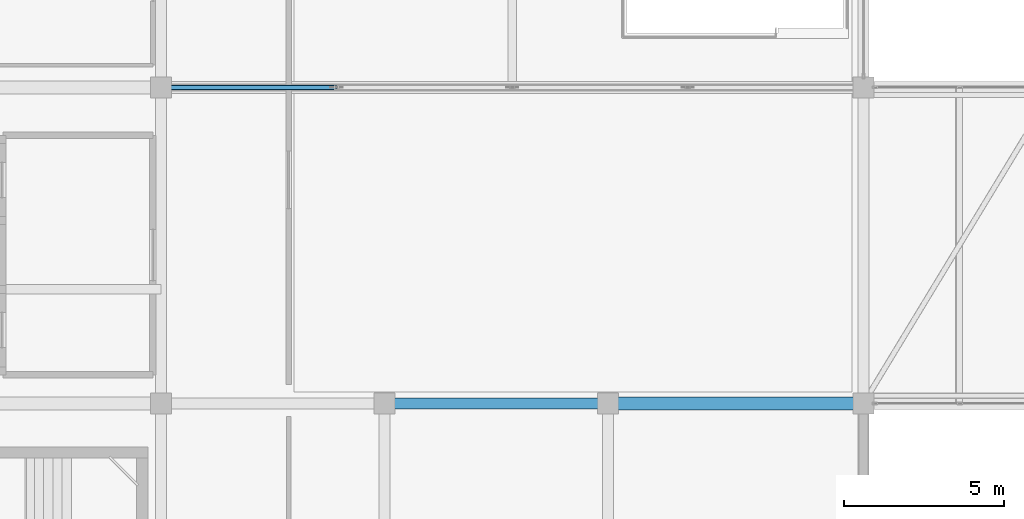
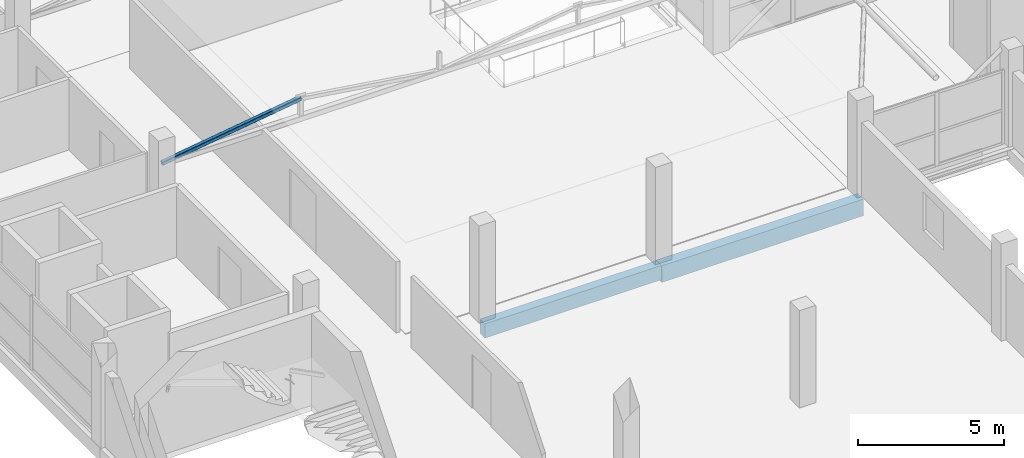
# One storey, part 8 of 66: 2 beams, 1 member.
"""IFC4 building model written with IfcOpenShell, lengths in metres."""

import ifcopenshell
import ifcopenshell.guid

model = None  # the IFC model being written
_history = None  # IfcOwnerHistory: only IFC2X3 demands one
_inside = {}  # id of a spatial element -> (the spatial element, [elements in it])
_under = {}  # id of a project, library or spatial element -> (it, [spatial elements below it])
_declared = {}  # id of a project -> (the project, [libraries it declares])
_typed = {}  # id of a type object -> (the type object, [elements of that type])
_made_of = {}  # id of a material, layer set ... -> (it, [elements and type objects made of it])


def new_model(schema):
    """Start an empty IFC model of exactly this schema.

    Asked for "IFC4X3", IfcOpenShell would pick the latest addendum, in which some entities
    have other attributes; the version numbers below select the first issue.
    IFC2X3 requires an IfcOwnerHistory on every rooted entity: one is made here for all.
    """
    global model, _history
    if schema == "IFC4X3":
        model = ifcopenshell.file(schema_version=(4, 3, 0, 0))
    else:
        model = ifcopenshell.file(schema=schema)
    _inside.clear()
    _under.clear()
    _declared.clear()
    _typed.clear()
    _made_of.clear()
    _history = None
    if model.schema == "IFC2X3":
        org = make("IfcOrganization", Name="unknown")
        user = make(
            "IfcPersonAndOrganization",
            ThePerson=make("IfcPerson", FamilyName="unknown"),
            TheOrganization=org,
        )
        app = make(
            "IfcApplication",
            ApplicationDeveloper=org,
            Version="unknown",
            ApplicationFullName="unknown",
            ApplicationIdentifier="unknown",
        )
        _history = make(
            "IfcOwnerHistory",
            OwningUser=user,
            OwningApplication=app,
            ChangeAction="ADDED",
            CreationDate=0,
        )
    return model


def make(cls, **values):
    """One entity of the class cls with the attributes given. An attribute that is None is left unset."""
    return model.create_entity(
        cls, **{name: value for name, value in values.items() if value is not None}
    )


def rooted(cls, **values):
    """An entity with a GlobalId (a new one), such as an element, a storey or a relation."""
    return make(cls, GlobalId=ifcopenshell.guid.new(), OwnerHistory=_history, **values)


def si_unit(unit_type, name, prefix=None):
    """IfcSIUnit, for example si_unit("LENGTHUNIT", "METRE", prefix="MILLI")."""
    return make("IfcSIUnit", UnitType=unit_type, Prefix=prefix, Name=name)


def assignment(units):
    """IfcUnitAssignment: the units of a project."""
    return None if units is None else make("IfcUnitAssignment", Units=units)


def point(xyz):
    """IfcCartesianPoint."""
    return None if xyz is None else make("IfcCartesianPoint", Coordinates=xyz)


def direction(xyz):
    """IfcDirection."""
    return None if xyz is None else make("IfcDirection", DirectionRatios=xyz)


def frame(location, z_axis=None, x_axis=None):
    """IfcAxis2Placement3D, a coordinate frame: its origin and axes. An axis left out is left unset."""
    return make(
        "IfcAxis2Placement3D",
        Location=point(location),
        Axis=direction(z_axis),
        RefDirection=direction(x_axis),
    )


def frame_2d(location, x_axis=None):
    """IfcAxis2Placement2D, a coordinate frame in the plane: its origin and x axis."""
    return make(
        "IfcAxis2Placement2D", Location=point(location), RefDirection=direction(x_axis)
    )


def origin():
    """The frame at (0, 0, 0) with its axes left unset."""
    return frame((0.0, 0.0, 0.0))


def origin_2d():
    """The frame at (0, 0) in the plane with its x axis left unset."""
    return frame_2d((0.0, 0.0))


def place(relative_to, where):
    """IfcLocalPlacement: puts the frame where relative to a parent placement (None: the world)."""
    return make(
        "IfcLocalPlacement", PlacementRelTo=relative_to, RelativePlacement=where
    )


def context(
    kind, dimensions, precision=None, world=None, true_north=None, identifier=None
):
    """IfcGeometricRepresentationContext, for example the 3D "Model" context."""
    return make(
        "IfcGeometricRepresentationContext",
        ContextIdentifier=identifier,
        ContextType=kind,
        CoordinateSpaceDimension=dimensions,
        Precision=precision,
        WorldCoordinateSystem=world,
        TrueNorth=true_north,
    )


def subcontext(parent, identifier, kind, view, scale=None):
    """IfcGeometricRepresentationSubContext, for example "Body" below "Model"."""
    return make(
        "IfcGeometricRepresentationSubContext",
        ContextIdentifier=identifier,
        ContextType=kind,
        ParentContext=parent,
        TargetScale=scale,
        TargetView=view,
    )


def project(units=None, contexts=None):
    """IfcProject with its units and contexts."""
    return rooted(
        "IfcProject",
        Name="project",
        RepresentationContexts=contexts,
        UnitsInContext=assignment(units),
    )


def spatial(cls, under=None, at=None, **own):
    """A site, building, storey or space (cls), placed at a placement, below another one or the project."""
    s = rooted(cls, ObjectPlacement=at, **own)
    if under is not None:
        _under.setdefault(under.id(), (under, []))[1].append(s)
    return s


def profile(cls, at=None, kind="AREA", **sizes):
    """A parametric profile (cls). Its sizes go by their IFC names, for example OverallWidth=200.0."""
    return make(cls, ProfileType=kind, Position=at, **sizes)


def rectangle(**sizes):
    """IfcRectangleProfileDef."""
    return profile("IfcRectangleProfileDef", **sizes)


def hollow_rectangle(**sizes):
    """IfcRectangleHollowProfileDef."""
    return profile("IfcRectangleHollowProfileDef", **sizes)


def extrude(swept, where, along, depth):
    """IfcExtrudedAreaSolid: the profile swept, set in the frame where, extruded along a direction by depth."""
    return make(
        "IfcExtrudedAreaSolid",
        SweptArea=swept,
        Position=where,
        ExtrudedDirection=direction(along),
        Depth=depth,
    )


def shape(context_of_items, identifier, shape_type, items):
    """IfcShapeRepresentation: the items that make up one representation, for example the "Body"."""
    return make(
        "IfcShapeRepresentation",
        ContextOfItems=context_of_items,
        RepresentationIdentifier=identifier,
        RepresentationType=shape_type,
        Items=items,
    )


def material(Name=None, Category=None):
    """IfcMaterial."""
    return make("IfcMaterial", Name=Name, Category=Category)


def material_profile(
    of_material, cross_section, Name=None, Category=None, Priority=None
):
    """IfcMaterialProfile: a cross section and its material."""
    return make(
        "IfcMaterialProfile",
        Name=Name,
        Material=of_material,
        Profile=cross_section,
        Priority=Priority,
        Category=Category,
    )


def profile_set(profiles, Name=None, composite=None):
    """IfcMaterialProfileSet."""
    return make(
        "IfcMaterialProfileSet",
        Name=Name,
        MaterialProfiles=profiles,
        CompositeProfile=composite,
    )


def made_of(thing, what):
    """Note that an element or type object is made of a material, layer set ...; save() writes the relation."""
    if what is not None:
        _made_of.setdefault(what.id(), (what, []))[1].append(thing)
    return thing


def type_object(cls, material=None, **own):
    """A type object (cls), such as IfcWallType, which elements share."""
    return made_of(rooted(cls, **own), material)


def element(
    cls,
    number,
    at=None,
    inside=None,
    cuts=None,
    type_object=None,
    material=None,
    context=None,
    identifier="Body",
    shape_type=None,
    held_by="IfcProductDefinitionShape",
    body=None,
    shapes=None,
    **own,
):
    """One element of the class cls, such as IfcWall. Its Tag is "e" and its number.

    at: its placement. inside: the storey or other place that contains it. cuts: it is an
    opening in that element (IfcRelVoidsElement). A single representation is given by context,
    identifier, shape_type and body (its items); several are given by shapes. held_by: the class
    of the entity that holds the representations. save() writes the other relations.
    """
    e = rooted(cls, Tag="e%d" % number, ObjectPlacement=at, **own)
    if body is not None:
        shapes = [shape(context, identifier, shape_type, body)]
    if shapes is not None:
        e.Representation = make(held_by, Representations=shapes)
    if inside is not None:
        _inside.setdefault(inside.id(), (inside, []))[1].append(e)
    if cuts is not None:
        rooted(
            "IfcRelVoidsElement", RelatingBuildingElement=cuts, RelatedOpeningElement=e
        )
    if type_object is not None:
        _typed.setdefault(type_object.id(), (type_object, []))[1].append(e)
    return made_of(e, material)


def aggregate(whole, parts):
    """IfcRelAggregates: a whole, such as a stair, and the parts it consists of."""
    return rooted("IfcRelAggregates", RelatingObject=whole, RelatedObjects=parts)


def save(model, path):
    """Write the relations noted so far, then the file.

    IfcRelAggregates (storeys below a building ...), IfcRelContainedInSpatialStructure (elements
    in a storey), IfcRelDefinesByType, IfcRelAssociatesMaterial and IfcRelDeclares: one each for
    every whole, place, type object, material and project.
    """
    for whole, parts in _under.values():
        aggregate(whole, parts)
    for where, things in _inside.values():
        rooted(
            "IfcRelContainedInSpatialStructure",
            RelatedElements=things,
            RelatingStructure=where,
        )
    for kind, things in _typed.values():
        rooted("IfcRelDefinesByType", RelatedObjects=things, RelatingType=kind)
    for what, things in _made_of.values():
        rooted("IfcRelAssociatesMaterial", RelatedObjects=things, RelatingMaterial=what)
    for by, libraries in _declared.values():
        rooted("IfcRelDeclares", RelatingContext=by, RelatedDefinitions=libraries)
    model.write(path)


model = new_model("IFC4")

# Units and contexts
model_context = context("Model", 3, precision=1e-05, world=origin(), true_north=direction((0.0, 1.0)))
body_context = subcontext(model_context, "Body", "Model", "MODEL_VIEW")
ifc_project = project(units=[si_unit("LENGTHUNIT", "METRE"), si_unit("AREAUNIT", "SQUARE_METRE"), si_unit("VOLUMEUNIT", "CUBIC_METRE"), si_unit("PLANEANGLEUNIT", "RADIAN"), si_unit("MASSUNIT", "GRAM", prefix="KILO")], contexts=[model_context])

# Site, building, storey
site_placement = place(None, origin())
site = spatial("IfcSite", under=ifc_project, at=site_placement, CompositionType="ELEMENT")
building_placement = place(site_placement, origin())
building = spatial("IfcBuilding", under=site, at=building_placement, Name="Sillaruma Civic Art Gallery", CompositionType="ELEMENT")
storey_placement = place(building_placement, frame((0.0, 0.0, 62.219970703125)))
storey = spatial("IfcBuildingStorey", under=building, at=storey_placement, Name="L12", CompositionType="ELEMENT", Elevation=62.219970703125)

# Beams
ifc_material_1 = material(Name="Concrete H35 (35 MPa)", Category="concrete")
ifc_material_profile_1 = material_profile(ifc_material_1, rectangle(XDim=0.35009765625, YDim=0.60009765625, at=origin_2d()), Name="RCB350x600")
ifc_profile_set_1 = profile_set([ifc_material_profile_1], Name="Concrete H35 (35 MPa)")
beam_type_1 = type_object("IfcBeamType", Name="BM-BEAM-RCB350x600", PredefinedType="BEAM", material=ifc_profile_set_1)
beam_1_placement = place(storey_placement, frame((77.0, 39.60009765625, -0.530029296875), z_axis=(1.0, 0.0, 0.0), x_axis=(0.0, 1.0, 0.0)))
element("IfcBeam", 1, at=beam_1_placement, inside=storey, type_object=beam_type_1, Name="Beam BM-06 (L11:5:H-J)", PredefinedType="BEAM", context=body_context, shape_type="SweptSolid", body=[
    extrude(rectangle(XDim=0.35009765625, YDim=0.60009765625, at=origin_2d()), origin(), (0.0, 0.0, 1.0), 7.0),
])
ifc_material_profile_2 = material_profile(ifc_material_1, rectangle(XDim=0.39990234375, YDim=0.699951171875, at=origin_2d()), Name="RCB400x700")
ifc_profile_set_2 = profile_set([ifc_material_profile_2], Name="Concrete H35 (35 MPa)")
beam_type_2 = type_object("IfcBeamType", Name="BM-BEAM-RCB400x700", PredefinedType="BEAM", material=ifc_profile_set_2)
beam_2_placement = place(storey_placement, frame((84.0, 39.60009765625, -0.580078125), z_axis=(1.0, 0.0, 0.0), x_axis=(0.0, 1.0, 0.0)))
element("IfcBeam", 2, at=beam_2_placement, inside=storey, type_object=beam_type_2, Name="Beam BM-04 (L11:5:J-K)", PredefinedType="BEAM", context=body_context, shape_type="SweptSolid", body=[
    extrude(rectangle(XDim=0.39990234375, YDim=0.699951171875, at=origin_2d()), origin(), (0.0, 0.0, 1.0), 8.0),
])

# Member
ifc_material_2 = material(Name="Structural Steel ASTM A500 Gr.C", Category="steel")
ifc_material_profile_3 = material_profile(ifc_material_2, hollow_rectangle(XDim=0.14990234375, YDim=0.14990234375, WallThickness=0.010009765625, InnerFilletRadius=0.010009765625, OuterFilletRadius=0.02001953125, at=origin_2d()), Name="HSS150x150x10")
ifc_profile_set_3 = profile_set([ifc_material_profile_3], Name="Structural Steel ASTM A500 Gr.C")
member_type = type_object("IfcMemberType", Name="MEM-BRACE-HSS150x150x10", PredefinedType="BRACE", material=ifc_profile_set_3)
member_placement = place(storey_placement, frame((70.0, 49.5, 2.860107421875), z_axis=(0.989384036218, 0.0, 0.145324563914), x_axis=(0.0, 1.0, 0.0)))
element("IfcMember", 3, at=member_placement, inside=storey, type_object=member_type, Name="Warren Truss Diagonal TR-L12-1-D1", PredefinedType="BRACE", context=body_context, shape_type="SweptSolid", body=[
    extrude(hollow_rectangle(XDim=0.14990234375, YDim=0.14990234375, WallThickness=0.010009765625, InnerFilletRadius=0.010009765625, OuterFilletRadius=0.02001953125, at=origin_2d()), origin(), (0.0, 0.0, 1.0), 5.55908203125),
])

save(model, "model.ifc")
